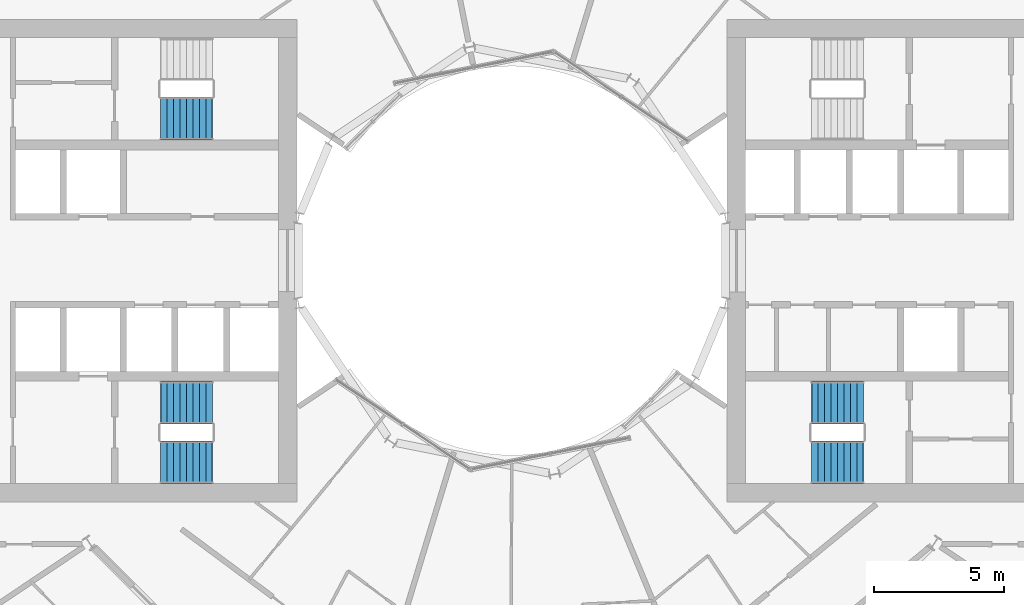
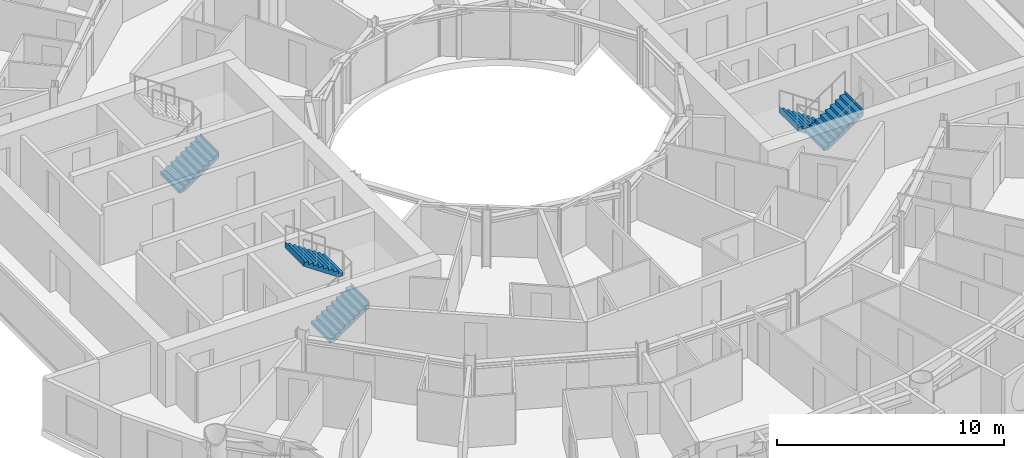
# One storey, part 23 of 26: 5 stair flights, 3 elements without a shape of their own.
"""IFC4 building model written with IfcOpenShell, lengths in metres."""

from ifc_helpers import new_model, si_unit, direction, frame, origin, place, context, subcontext, project, spatial, triangles, material, type_object, element, aggregate, save


model = new_model("IFC4")

# Units and contexts
model_context = context("Model", 3, precision=1e-05, world=origin(), true_north=direction((0.0, 1.0)))
body_context = subcontext(model_context, "Body", "Model", "MODEL_VIEW")
ifc_project = project(units=[si_unit("LENGTHUNIT", "METRE"), si_unit("AREAUNIT", "SQUARE_METRE"), si_unit("VOLUMEUNIT", "CUBIC_METRE"), si_unit("PLANEANGLEUNIT", "RADIAN"), si_unit("MASSUNIT", "GRAM", prefix="KILO")], contexts=[model_context])

# Site, building, storey
site_placement = place(None, origin())
site = spatial("IfcSite", under=ifc_project, at=site_placement, CompositionType="ELEMENT")
building_placement = place(site_placement, origin())
building = spatial("IfcBuilding", under=site, at=building_placement, Name="Maasbend Ring Residences", CompositionType="ELEMENT")
storey_placement = place(building_placement, frame((0.0, 0.0, 66.64990234375)))
storey = spatial("IfcBuildingStorey", under=building, at=storey_placement, Name="L18", CompositionType="ELEMENT", Elevation=66.64990234375)

# Stair, stair flights
ifc_material_1 = material(Name="Concrete C40/50", Category="concrete")
stair_type = type_object("IfcStairType", Name="CORE STAIR 18 RISERS", PredefinedType="HALF_TURN_STAIR", material=ifc_material_1)
stair_1_placement = place(storey_placement, origin())
stair_1 = element("IfcStair", 1, at=stair_1_placement, inside=storey, type_object=stair_type, Name="L18 Exit stair ST-E2", PredefinedType="HALF_TURN_STAIR")
ifc_material_2 = material(Name="Concrete C40/50", Category="concrete")
stair_flight_type = type_object("IfcStairFlightType", Name="CORE STAIR FLIGHT 1650", PredefinedType="STRAIGHT", material=ifc_material_2)
stair_flight_1_placement = place(storey_placement, frame((13.550048828125, -5.47509765625, 0.0), z_axis=(0.0, 0.0, 1.0), x_axis=(-1.0, 0.0, 0.0)))
stair_flight_1 = element("IfcStairFlight", 2, at=stair_flight_1_placement, type_object=stair_flight_type, Name="ST-E2 flight 1", NumberOfRisers=9, NumberOfTreads=8, PredefinedType="STRAIGHT", RiserHeight=0.169444444, TreadLength=0.25, context=body_context, shape_type="Tessellation", body=[
    triangles([(0.24072265625, 0.824951171875, -0.02001953125), (2.0029296875, 0.824951171875, 1.174560546875), (2.0029296875, 0.824951171875, 1.52490234375), (1.989990234375, 0.824951171875, 1.35546875), (1.75, 0.824951171875, 1.35546875), (1.75, 0.824951171875, 1.18603515625), (1.5, 0.824951171875, 1.18603515625), (1.5, 0.824951171875, 1.0166015625), (1.25, 0.824951171875, 1.0166015625), (1.25, 0.824951171875, 0.84716796875), (1.0, 0.824951171875, 0.84716796875), (1.0, 0.824951171875, 0.677734375), (0.75, 0.824951171875, 0.677734375), (0.75, 0.824951171875, 0.50830078125), (0.5, 0.824951171875, 0.50830078125), (0.5, 0.824951171875, 0.3388671875), (0.25, 0.824951171875, 0.3388671875), (0.25, 0.824951171875, 0.16943359375), (0.0, 0.824951171875, 0.16943359375), (0.0, 0.824951171875, 0.0), (-0.0029296875, 0.824951171875, 0.0), (-0.0029296875, 0.824951171875, -0.02001953125), (0.24072265625, 0.27490234375, -0.02001953125), (2.0029296875, 0.27490234375, 1.174560546875), (2.0029296875, 0.27490234375, 1.52490234375), (1.989990234375, 0.27490234375, 1.35546875), (1.75, 0.27490234375, 1.35546875), (1.75, 0.27490234375, 1.18603515625), (1.5, 0.27490234375, 1.18603515625), (1.5, 0.27490234375, 1.0166015625), (1.25, 0.27490234375, 1.0166015625), (1.25, 0.27490234375, 0.84716796875), (1.0, 0.27490234375, 0.84716796875), (1.0, 0.27490234375, 0.677734375), (0.75, 0.27490234375, 0.677734375), (0.75, 0.27490234375, 0.50830078125), (0.5, 0.27490234375, 0.50830078125), (0.5, 0.27490234375, 0.3388671875), (0.25, 0.27490234375, 0.3388671875), (0.25, 0.27490234375, 0.16943359375), (0.0, 0.27490234375, 0.16943359375), (0.0, 0.27490234375, 0.0), (-0.0029296875, 0.27490234375, 0.0), (-0.0029296875, 0.27490234375, -0.02001953125), (0.24072265625, -0.27490234375, -0.02001953125), (2.0029296875, -0.27490234375, 1.174560546875), (2.0029296875, -0.27490234375, 1.52490234375), (1.989990234375, -0.27490234375, 1.35546875), (1.75, -0.27490234375, 1.35546875), (1.75, -0.27490234375, 1.18603515625), (1.5, -0.27490234375, 1.18603515625), (1.5, -0.27490234375, 1.0166015625), (1.25, -0.27490234375, 1.0166015625), (1.25, -0.27490234375, 0.84716796875), (1.0, -0.27490234375, 0.84716796875), (1.0, -0.27490234375, 0.677734375), (0.75, -0.27490234375, 0.677734375), (0.75, -0.27490234375, 0.50830078125), (0.5, -0.27490234375, 0.50830078125), (0.5, -0.27490234375, 0.3388671875), (0.25, -0.27490234375, 0.3388671875), (0.25, -0.27490234375, 0.16943359375), (0.0, -0.27490234375, 0.16943359375), (0.0, -0.27490234375, 0.0), (-0.0029296875, -0.27490234375, 0.0), (-0.0029296875, -0.27490234375, -0.02001953125), (0.24072265625, -0.824951171875, -0.02001953125), (2.0029296875, -0.824951171875, 1.174560546875), (2.0029296875, -0.824951171875, 1.52490234375), (1.989990234375, -0.824951171875, 1.35546875), (1.75, -0.824951171875, 1.35546875), (1.75, -0.824951171875, 1.18603515625), (1.5, -0.824951171875, 1.18603515625), (1.5, -0.824951171875, 1.0166015625), (1.25, -0.824951171875, 1.0166015625), (1.25, -0.824951171875, 0.84716796875), (1.0, -0.824951171875, 0.84716796875), (1.0, -0.824951171875, 0.677734375), (0.75, -0.824951171875, 0.677734375), (0.75, -0.824951171875, 0.50830078125), (0.5, -0.824951171875, 0.50830078125), (0.5, -0.824951171875, 0.3388671875), (0.25, -0.824951171875, 0.3388671875), (0.25, -0.824951171875, 0.16943359375), (0.0, -0.824951171875, 0.16943359375), (0.0, -0.824951171875, 0.0), (-0.0029296875, -0.824951171875, 0.0), (-0.0029296875, -0.824951171875, -0.02001953125)], [[1, 2, 24], [1, 24, 23], [23, 24, 46], [23, 46, 45], [45, 46, 68], [45, 68, 67], [2, 3, 25], [2, 25, 24], [24, 25, 47], [24, 47, 46], [46, 47, 69], [46, 69, 68], [3, 4, 26], [3, 26, 25], [25, 26, 48], [25, 48, 47], [47, 48, 70], [47, 70, 69], [4, 5, 27], [4, 27, 26], [26, 27, 49], [26, 49, 48], [48, 49, 71], [48, 71, 70], [5, 6, 28], [5, 28, 27], [27, 28, 50], [27, 50, 49], [49, 50, 72], [49, 72, 71], [6, 7, 29], [6, 29, 28], [28, 29, 51], [28, 51, 50], [50, 51, 73], [50, 73, 72], [7, 8, 30], [7, 30, 29], [29, 30, 52], [29, 52, 51], [51, 52, 74], [51, 74, 73], [8, 9, 31], [8, 31, 30], [30, 31, 53], [30, 53, 52], [52, 53, 75], [52, 75, 74], [9, 10, 32], [9, 32, 31], [31, 32, 54], [31, 54, 53], [53, 54, 76], [53, 76, 75], [10, 11, 33], [10, 33, 32], [32, 33, 55], [32, 55, 54], [54, 55, 77], [54, 77, 76], [11, 12, 34], [11, 34, 33], [33, 34, 56], [33, 56, 55], [55, 56, 78], [55, 78, 77], [12, 13, 35], [12, 35, 34], [34, 35, 57], [34, 57, 56], [56, 57, 79], [56, 79, 78], [13, 14, 36], [13, 36, 35], [35, 36, 58], [35, 58, 57], [57, 58, 80], [57, 80, 79], [14, 15, 37], [14, 37, 36], [36, 37, 59], [36, 59, 58], [58, 59, 81], [58, 81, 80], [15, 16, 38], [15, 38, 37], [37, 38, 60], [37, 60, 59], [59, 60, 82], [59, 82, 81], [16, 17, 39], [16, 39, 38], [38, 39, 61], [38, 61, 60], [60, 61, 83], [60, 83, 82], [17, 18, 40], [17, 40, 39], [39, 40, 62], [39, 62, 61], [61, 62, 84], [61, 84, 83], [18, 19, 41], [18, 41, 40], [40, 41, 63], [40, 63, 62], [62, 63, 85], [62, 85, 84], [19, 20, 42], [19, 42, 41], [41, 42, 64], [41, 64, 63], [63, 64, 86], [63, 86, 85], [20, 21, 43], [20, 43, 42], [42, 43, 65], [42, 65, 64], [64, 65, 87], [64, 87, 86], [21, 22, 44], [21, 44, 43], [43, 44, 66], [43, 66, 65], [65, 66, 88], [65, 88, 87], [22, 1, 23], [22, 23, 44], [44, 23, 45], [44, 45, 66], [66, 45, 67], [66, 67, 88], [22, 2, 1], [2, 4, 3], [2, 5, 4], [2, 6, 5], [22, 6, 2], [6, 8, 7], [22, 8, 6], [8, 10, 9], [22, 10, 8], [10, 12, 11], [22, 12, 10], [12, 14, 13], [22, 14, 12], [14, 16, 15], [22, 16, 14], [16, 18, 17], [22, 18, 16], [18, 20, 19], [22, 20, 18], [20, 22, 21], [88, 67, 68], [68, 69, 70], [68, 70, 71], [68, 71, 72], [88, 68, 72], [72, 73, 74], [88, 72, 74], [74, 75, 76], [88, 74, 76], [76, 77, 78], [88, 76, 78], [78, 79, 80], [88, 78, 80], [80, 81, 82], [88, 80, 82], [82, 83, 84], [88, 82, 84], [84, 85, 86], [88, 84, 86], [86, 87, 88]], closed=True),
])
stair_flight_2_placement = place(storey_placement, frame((11.550048828125, -7.77490234375, 1.525146484375), z_axis=(0.0, 0.0, 1.0), x_axis=(1.0, 0.0, 0.0)))
stair_flight_2 = element("IfcStairFlight", 3, at=stair_flight_2_placement, type_object=stair_flight_type, Name="ST-E2 flight 2", NumberOfRisers=9, NumberOfTreads=8, PredefinedType="STRAIGHT", RiserHeight=0.169444444, TreadLength=0.25, context=body_context, shape_type="Tessellation", body=[
    triangles([(0.24072265625, 0.824951171875, -0.02001953125), (2.0029296875, 0.824951171875, 1.174560546875), (2.0029296875, 0.824951171875, 1.52490234375), (1.989990234375, 0.824951171875, 1.35546875), (1.75, 0.824951171875, 1.35546875), (1.75, 0.824951171875, 1.18603515625), (1.5, 0.824951171875, 1.18603515625), (1.5, 0.824951171875, 1.0166015625), (1.25, 0.824951171875, 1.0166015625), (1.25, 0.824951171875, 0.84716796875), (1.0, 0.824951171875, 0.84716796875), (1.0, 0.824951171875, 0.677734375), (0.75, 0.824951171875, 0.677734375), (0.75, 0.824951171875, 0.50830078125), (0.5, 0.824951171875, 0.50830078125), (0.5, 0.824951171875, 0.3388671875), (0.25, 0.824951171875, 0.3388671875), (0.25, 0.824951171875, 0.16943359375), (0.0, 0.824951171875, 0.16943359375), (0.0, 0.824951171875, 0.0), (-0.0029296875, 0.824951171875, 0.0), (-0.0029296875, 0.824951171875, -0.02001953125), (0.24072265625, 0.27490234375, -0.02001953125), (2.0029296875, 0.27490234375, 1.174560546875), (2.0029296875, 0.27490234375, 1.52490234375), (1.989990234375, 0.27490234375, 1.35546875), (1.75, 0.27490234375, 1.35546875), (1.75, 0.27490234375, 1.18603515625), (1.5, 0.27490234375, 1.18603515625), (1.5, 0.27490234375, 1.0166015625), (1.25, 0.27490234375, 1.0166015625), (1.25, 0.27490234375, 0.84716796875), (1.0, 0.27490234375, 0.84716796875), (1.0, 0.27490234375, 0.677734375), (0.75, 0.27490234375, 0.677734375), (0.75, 0.27490234375, 0.50830078125), (0.5, 0.27490234375, 0.50830078125), (0.5, 0.27490234375, 0.3388671875), (0.25, 0.27490234375, 0.3388671875), (0.25, 0.27490234375, 0.16943359375), (0.0, 0.27490234375, 0.16943359375), (0.0, 0.27490234375, 0.0), (-0.0029296875, 0.27490234375, 0.0), (-0.0029296875, 0.27490234375, -0.02001953125), (0.24072265625, -0.27490234375, -0.02001953125), (2.0029296875, -0.27490234375, 1.174560546875), (2.0029296875, -0.27490234375, 1.52490234375), (1.989990234375, -0.27490234375, 1.35546875), (1.75, -0.27490234375, 1.35546875), (1.75, -0.27490234375, 1.18603515625), (1.5, -0.27490234375, 1.18603515625), (1.5, -0.27490234375, 1.0166015625), (1.25, -0.27490234375, 1.0166015625), (1.25, -0.27490234375, 0.84716796875), (1.0, -0.27490234375, 0.84716796875), (1.0, -0.27490234375, 0.677734375), (0.75, -0.27490234375, 0.677734375), (0.75, -0.27490234375, 0.50830078125), (0.5, -0.27490234375, 0.50830078125), (0.5, -0.27490234375, 0.3388671875), (0.25, -0.27490234375, 0.3388671875), (0.25, -0.27490234375, 0.16943359375), (0.0, -0.27490234375, 0.16943359375), (0.0, -0.27490234375, 0.0), (-0.0029296875, -0.27490234375, 0.0), (-0.0029296875, -0.27490234375, -0.02001953125), (0.24072265625, -0.824951171875, -0.02001953125), (2.0029296875, -0.824951171875, 1.174560546875), (2.0029296875, -0.824951171875, 1.52490234375), (1.989990234375, -0.824951171875, 1.35546875), (1.75, -0.824951171875, 1.35546875), (1.75, -0.824951171875, 1.18603515625), (1.5, -0.824951171875, 1.18603515625), (1.5, -0.824951171875, 1.0166015625), (1.25, -0.824951171875, 1.0166015625), (1.25, -0.824951171875, 0.84716796875), (1.0, -0.824951171875, 0.84716796875), (1.0, -0.824951171875, 0.677734375), (0.75, -0.824951171875, 0.677734375), (0.75, -0.824951171875, 0.50830078125), (0.5, -0.824951171875, 0.50830078125), (0.5, -0.824951171875, 0.3388671875), (0.25, -0.824951171875, 0.3388671875), (0.25, -0.824951171875, 0.16943359375), (0.0, -0.824951171875, 0.16943359375), (0.0, -0.824951171875, 0.0), (-0.0029296875, -0.824951171875, 0.0), (-0.0029296875, -0.824951171875, -0.02001953125)], [[1, 2, 24], [1, 24, 23], [23, 24, 46], [23, 46, 45], [45, 46, 68], [45, 68, 67], [2, 3, 25], [2, 25, 24], [24, 25, 47], [24, 47, 46], [46, 47, 69], [46, 69, 68], [3, 4, 26], [3, 26, 25], [25, 26, 48], [25, 48, 47], [47, 48, 70], [47, 70, 69], [4, 5, 27], [4, 27, 26], [26, 27, 49], [26, 49, 48], [48, 49, 71], [48, 71, 70], [5, 6, 28], [5, 28, 27], [27, 28, 50], [27, 50, 49], [49, 50, 72], [49, 72, 71], [6, 7, 29], [6, 29, 28], [28, 29, 51], [28, 51, 50], [50, 51, 73], [50, 73, 72], [7, 8, 30], [7, 30, 29], [29, 30, 52], [29, 52, 51], [51, 52, 74], [51, 74, 73], [8, 9, 31], [8, 31, 30], [30, 31, 53], [30, 53, 52], [52, 53, 75], [52, 75, 74], [9, 10, 32], [9, 32, 31], [31, 32, 54], [31, 54, 53], [53, 54, 76], [53, 76, 75], [10, 11, 33], [10, 33, 32], [32, 33, 55], [32, 55, 54], [54, 55, 77], [54, 77, 76], [11, 12, 34], [11, 34, 33], [33, 34, 56], [33, 56, 55], [55, 56, 78], [55, 78, 77], [12, 13, 35], [12, 35, 34], [34, 35, 57], [34, 57, 56], [56, 57, 79], [56, 79, 78], [13, 14, 36], [13, 36, 35], [35, 36, 58], [35, 58, 57], [57, 58, 80], [57, 80, 79], [14, 15, 37], [14, 37, 36], [36, 37, 59], [36, 59, 58], [58, 59, 81], [58, 81, 80], [15, 16, 38], [15, 38, 37], [37, 38, 60], [37, 60, 59], [59, 60, 82], [59, 82, 81], [16, 17, 39], [16, 39, 38], [38, 39, 61], [38, 61, 60], [60, 61, 83], [60, 83, 82], [17, 18, 40], [17, 40, 39], [39, 40, 62], [39, 62, 61], [61, 62, 84], [61, 84, 83], [18, 19, 41], [18, 41, 40], [40, 41, 63], [40, 63, 62], [62, 63, 85], [62, 85, 84], [19, 20, 42], [19, 42, 41], [41, 42, 64], [41, 64, 63], [63, 64, 86], [63, 86, 85], [20, 21, 43], [20, 43, 42], [42, 43, 65], [42, 65, 64], [64, 65, 87], [64, 87, 86], [21, 22, 44], [21, 44, 43], [43, 44, 66], [43, 66, 65], [65, 66, 88], [65, 88, 87], [22, 1, 23], [22, 23, 44], [44, 23, 45], [44, 45, 66], [66, 45, 67], [66, 67, 88], [22, 2, 1], [2, 4, 3], [2, 5, 4], [2, 6, 5], [22, 6, 2], [6, 8, 7], [22, 8, 6], [8, 10, 9], [22, 10, 8], [10, 12, 11], [22, 12, 10], [12, 14, 13], [22, 14, 12], [14, 16, 15], [22, 16, 14], [16, 18, 17], [22, 18, 16], [18, 20, 19], [22, 20, 18], [20, 22, 21], [88, 67, 68], [68, 69, 70], [68, 70, 71], [68, 71, 72], [88, 68, 72], [72, 73, 74], [88, 72, 74], [74, 75, 76], [88, 74, 76], [76, 77, 78], [88, 76, 78], [78, 79, 80], [88, 78, 80], [80, 81, 82], [88, 80, 82], [82, 83, 84], [88, 82, 84], [84, 85, 86], [88, 84, 86], [86, 87, 88]], closed=True),
])
aggregate(stair_1, [stair_flight_1, stair_flight_2])

stair_2_placement = place(storey_placement, origin())
stair_2 = element("IfcStair", 4, at=stair_2_placement, inside=storey, type_object=stair_type, Name="L18 Exit stair ST-W1", PredefinedType="HALF_TURN_STAIR")
stair_flight_3_placement = place(storey_placement, frame((-13.550048828125, -7.77490234375, 0.0), z_axis=(0.0, 0.0, 1.0), x_axis=(1.0, 0.0, 0.0)))
stair_flight_3 = element("IfcStairFlight", 5, at=stair_flight_3_placement, type_object=stair_flight_type, Name="ST-W1 flight 1", NumberOfRisers=9, NumberOfTreads=8, PredefinedType="STRAIGHT", RiserHeight=0.169444444, TreadLength=0.25, context=body_context, shape_type="Tessellation", body=[
    triangles([(0.24072265625, 0.824951171875, -0.02001953125), (2.0029296875, 0.824951171875, 1.174560546875), (2.0029296875, 0.824951171875, 1.52490234375), (1.989990234375, 0.824951171875, 1.35546875), (1.75, 0.824951171875, 1.35546875), (1.75, 0.824951171875, 1.18603515625), (1.5, 0.824951171875, 1.18603515625), (1.5, 0.824951171875, 1.0166015625), (1.25, 0.824951171875, 1.0166015625), (1.25, 0.824951171875, 0.84716796875), (1.0, 0.824951171875, 0.84716796875), (1.0, 0.824951171875, 0.677734375), (0.75, 0.824951171875, 0.677734375), (0.75, 0.824951171875, 0.50830078125), (0.5, 0.824951171875, 0.50830078125), (0.5, 0.824951171875, 0.3388671875), (0.25, 0.824951171875, 0.3388671875), (0.25, 0.824951171875, 0.16943359375), (0.0, 0.824951171875, 0.16943359375), (0.0, 0.824951171875, 0.0), (-0.0029296875, 0.824951171875, 0.0), (-0.0029296875, 0.824951171875, -0.02001953125), (0.24072265625, 0.27490234375, -0.02001953125), (2.0029296875, 0.27490234375, 1.174560546875), (2.0029296875, 0.27490234375, 1.52490234375), (1.989990234375, 0.27490234375, 1.35546875), (1.75, 0.27490234375, 1.35546875), (1.75, 0.27490234375, 1.18603515625), (1.5, 0.27490234375, 1.18603515625), (1.5, 0.27490234375, 1.0166015625), (1.25, 0.27490234375, 1.0166015625), (1.25, 0.27490234375, 0.84716796875), (1.0, 0.27490234375, 0.84716796875), (1.0, 0.27490234375, 0.677734375), (0.75, 0.27490234375, 0.677734375), (0.75, 0.27490234375, 0.50830078125), (0.5, 0.27490234375, 0.50830078125), (0.5, 0.27490234375, 0.3388671875), (0.25, 0.27490234375, 0.3388671875), (0.25, 0.27490234375, 0.16943359375), (0.0, 0.27490234375, 0.16943359375), (0.0, 0.27490234375, 0.0), (-0.0029296875, 0.27490234375, 0.0), (-0.0029296875, 0.27490234375, -0.02001953125), (0.24072265625, -0.27490234375, -0.02001953125), (2.0029296875, -0.27490234375, 1.174560546875), (2.0029296875, -0.27490234375, 1.52490234375), (1.989990234375, -0.27490234375, 1.35546875), (1.75, -0.27490234375, 1.35546875), (1.75, -0.27490234375, 1.18603515625), (1.5, -0.27490234375, 1.18603515625), (1.5, -0.27490234375, 1.0166015625), (1.25, -0.27490234375, 1.0166015625), (1.25, -0.27490234375, 0.84716796875), (1.0, -0.27490234375, 0.84716796875), (1.0, -0.27490234375, 0.677734375), (0.75, -0.27490234375, 0.677734375), (0.75, -0.27490234375, 0.50830078125), (0.5, -0.27490234375, 0.50830078125), (0.5, -0.27490234375, 0.3388671875), (0.25, -0.27490234375, 0.3388671875), (0.25, -0.27490234375, 0.16943359375), (0.0, -0.27490234375, 0.16943359375), (0.0, -0.27490234375, 0.0), (-0.0029296875, -0.27490234375, 0.0), (-0.0029296875, -0.27490234375, -0.02001953125), (0.24072265625, -0.824951171875, -0.02001953125), (2.0029296875, -0.824951171875, 1.174560546875), (2.0029296875, -0.824951171875, 1.52490234375), (1.989990234375, -0.824951171875, 1.35546875), (1.75, -0.824951171875, 1.35546875), (1.75, -0.824951171875, 1.18603515625), (1.5, -0.824951171875, 1.18603515625), (1.5, -0.824951171875, 1.0166015625), (1.25, -0.824951171875, 1.0166015625), (1.25, -0.824951171875, 0.84716796875), (1.0, -0.824951171875, 0.84716796875), (1.0, -0.824951171875, 0.677734375), (0.75, -0.824951171875, 0.677734375), (0.75, -0.824951171875, 0.50830078125), (0.5, -0.824951171875, 0.50830078125), (0.5, -0.824951171875, 0.3388671875), (0.25, -0.824951171875, 0.3388671875), (0.25, -0.824951171875, 0.16943359375), (0.0, -0.824951171875, 0.16943359375), (0.0, -0.824951171875, 0.0), (-0.0029296875, -0.824951171875, 0.0), (-0.0029296875, -0.824951171875, -0.02001953125)], [[1, 2, 24], [1, 24, 23], [23, 24, 46], [23, 46, 45], [45, 46, 68], [45, 68, 67], [2, 3, 25], [2, 25, 24], [24, 25, 47], [24, 47, 46], [46, 47, 69], [46, 69, 68], [3, 4, 26], [3, 26, 25], [25, 26, 48], [25, 48, 47], [47, 48, 70], [47, 70, 69], [4, 5, 27], [4, 27, 26], [26, 27, 49], [26, 49, 48], [48, 49, 71], [48, 71, 70], [5, 6, 28], [5, 28, 27], [27, 28, 50], [27, 50, 49], [49, 50, 72], [49, 72, 71], [6, 7, 29], [6, 29, 28], [28, 29, 51], [28, 51, 50], [50, 51, 73], [50, 73, 72], [7, 8, 30], [7, 30, 29], [29, 30, 52], [29, 52, 51], [51, 52, 74], [51, 74, 73], [8, 9, 31], [8, 31, 30], [30, 31, 53], [30, 53, 52], [52, 53, 75], [52, 75, 74], [9, 10, 32], [9, 32, 31], [31, 32, 54], [31, 54, 53], [53, 54, 76], [53, 76, 75], [10, 11, 33], [10, 33, 32], [32, 33, 55], [32, 55, 54], [54, 55, 77], [54, 77, 76], [11, 12, 34], [11, 34, 33], [33, 34, 56], [33, 56, 55], [55, 56, 78], [55, 78, 77], [12, 13, 35], [12, 35, 34], [34, 35, 57], [34, 57, 56], [56, 57, 79], [56, 79, 78], [13, 14, 36], [13, 36, 35], [35, 36, 58], [35, 58, 57], [57, 58, 80], [57, 80, 79], [14, 15, 37], [14, 37, 36], [36, 37, 59], [36, 59, 58], [58, 59, 81], [58, 81, 80], [15, 16, 38], [15, 38, 37], [37, 38, 60], [37, 60, 59], [59, 60, 82], [59, 82, 81], [16, 17, 39], [16, 39, 38], [38, 39, 61], [38, 61, 60], [60, 61, 83], [60, 83, 82], [17, 18, 40], [17, 40, 39], [39, 40, 62], [39, 62, 61], [61, 62, 84], [61, 84, 83], [18, 19, 41], [18, 41, 40], [40, 41, 63], [40, 63, 62], [62, 63, 85], [62, 85, 84], [19, 20, 42], [19, 42, 41], [41, 42, 64], [41, 64, 63], [63, 64, 86], [63, 86, 85], [20, 21, 43], [20, 43, 42], [42, 43, 65], [42, 65, 64], [64, 65, 87], [64, 87, 86], [21, 22, 44], [21, 44, 43], [43, 44, 66], [43, 66, 65], [65, 66, 88], [65, 88, 87], [22, 1, 23], [22, 23, 44], [44, 23, 45], [44, 45, 66], [66, 45, 67], [66, 67, 88], [22, 2, 1], [2, 4, 3], [2, 5, 4], [2, 6, 5], [22, 6, 2], [6, 8, 7], [22, 8, 6], [8, 10, 9], [22, 10, 8], [10, 12, 11], [22, 12, 10], [12, 14, 13], [22, 14, 12], [14, 16, 15], [22, 16, 14], [16, 18, 17], [22, 18, 16], [18, 20, 19], [22, 20, 18], [20, 22, 21], [88, 67, 68], [68, 69, 70], [68, 70, 71], [68, 71, 72], [88, 68, 72], [72, 73, 74], [88, 72, 74], [74, 75, 76], [88, 74, 76], [76, 77, 78], [88, 76, 78], [78, 79, 80], [88, 78, 80], [80, 81, 82], [88, 80, 82], [82, 83, 84], [88, 82, 84], [84, 85, 86], [88, 84, 86], [86, 87, 88]], closed=True),
])
stair_flight_4_placement = place(storey_placement, frame((-11.550048828125, -5.47509765625, 1.525146484375), z_axis=(0.0, 0.0, 1.0), x_axis=(-1.0, 0.0, 0.0)))
stair_flight_4 = element("IfcStairFlight", 6, at=stair_flight_4_placement, type_object=stair_flight_type, Name="ST-W1 flight 2", NumberOfRisers=9, NumberOfTreads=8, PredefinedType="STRAIGHT", RiserHeight=0.169444444, TreadLength=0.25, context=body_context, shape_type="Tessellation", body=[
    triangles([(0.24072265625, 0.824951171875, -0.02001953125), (2.0029296875, 0.824951171875, 1.174560546875), (2.0029296875, 0.824951171875, 1.52490234375), (1.989990234375, 0.824951171875, 1.35546875), (1.75, 0.824951171875, 1.35546875), (1.75, 0.824951171875, 1.18603515625), (1.5, 0.824951171875, 1.18603515625), (1.5, 0.824951171875, 1.0166015625), (1.25, 0.824951171875, 1.0166015625), (1.25, 0.824951171875, 0.84716796875), (1.0, 0.824951171875, 0.84716796875), (1.0, 0.824951171875, 0.677734375), (0.75, 0.824951171875, 0.677734375), (0.75, 0.824951171875, 0.50830078125), (0.5, 0.824951171875, 0.50830078125), (0.5, 0.824951171875, 0.3388671875), (0.25, 0.824951171875, 0.3388671875), (0.25, 0.824951171875, 0.16943359375), (0.0, 0.824951171875, 0.16943359375), (0.0, 0.824951171875, 0.0), (-0.0029296875, 0.824951171875, 0.0), (-0.0029296875, 0.824951171875, -0.02001953125), (0.24072265625, 0.27490234375, -0.02001953125), (2.0029296875, 0.27490234375, 1.174560546875), (2.0029296875, 0.27490234375, 1.52490234375), (1.989990234375, 0.27490234375, 1.35546875), (1.75, 0.27490234375, 1.35546875), (1.75, 0.27490234375, 1.18603515625), (1.5, 0.27490234375, 1.18603515625), (1.5, 0.27490234375, 1.0166015625), (1.25, 0.27490234375, 1.0166015625), (1.25, 0.27490234375, 0.84716796875), (1.0, 0.27490234375, 0.84716796875), (1.0, 0.27490234375, 0.677734375), (0.75, 0.27490234375, 0.677734375), (0.75, 0.27490234375, 0.50830078125), (0.5, 0.27490234375, 0.50830078125), (0.5, 0.27490234375, 0.3388671875), (0.25, 0.27490234375, 0.3388671875), (0.25, 0.27490234375, 0.16943359375), (0.0, 0.27490234375, 0.16943359375), (0.0, 0.27490234375, 0.0), (-0.0029296875, 0.27490234375, 0.0), (-0.0029296875, 0.27490234375, -0.02001953125), (0.24072265625, -0.27490234375, -0.02001953125), (2.0029296875, -0.27490234375, 1.174560546875), (2.0029296875, -0.27490234375, 1.52490234375), (1.989990234375, -0.27490234375, 1.35546875), (1.75, -0.27490234375, 1.35546875), (1.75, -0.27490234375, 1.18603515625), (1.5, -0.27490234375, 1.18603515625), (1.5, -0.27490234375, 1.0166015625), (1.25, -0.27490234375, 1.0166015625), (1.25, -0.27490234375, 0.84716796875), (1.0, -0.27490234375, 0.84716796875), (1.0, -0.27490234375, 0.677734375), (0.75, -0.27490234375, 0.677734375), (0.75, -0.27490234375, 0.50830078125), (0.5, -0.27490234375, 0.50830078125), (0.5, -0.27490234375, 0.3388671875), (0.25, -0.27490234375, 0.3388671875), (0.25, -0.27490234375, 0.16943359375), (0.0, -0.27490234375, 0.16943359375), (0.0, -0.27490234375, 0.0), (-0.0029296875, -0.27490234375, 0.0), (-0.0029296875, -0.27490234375, -0.02001953125), (0.24072265625, -0.824951171875, -0.02001953125), (2.0029296875, -0.824951171875, 1.174560546875), (2.0029296875, -0.824951171875, 1.52490234375), (1.989990234375, -0.824951171875, 1.35546875), (1.75, -0.824951171875, 1.35546875), (1.75, -0.824951171875, 1.18603515625), (1.5, -0.824951171875, 1.18603515625), (1.5, -0.824951171875, 1.0166015625), (1.25, -0.824951171875, 1.0166015625), (1.25, -0.824951171875, 0.84716796875), (1.0, -0.824951171875, 0.84716796875), (1.0, -0.824951171875, 0.677734375), (0.75, -0.824951171875, 0.677734375), (0.75, -0.824951171875, 0.50830078125), (0.5, -0.824951171875, 0.50830078125), (0.5, -0.824951171875, 0.3388671875), (0.25, -0.824951171875, 0.3388671875), (0.25, -0.824951171875, 0.16943359375), (0.0, -0.824951171875, 0.16943359375), (0.0, -0.824951171875, 0.0), (-0.0029296875, -0.824951171875, 0.0), (-0.0029296875, -0.824951171875, -0.02001953125)], [[1, 2, 24], [1, 24, 23], [23, 24, 46], [23, 46, 45], [45, 46, 68], [45, 68, 67], [2, 3, 25], [2, 25, 24], [24, 25, 47], [24, 47, 46], [46, 47, 69], [46, 69, 68], [3, 4, 26], [3, 26, 25], [25, 26, 48], [25, 48, 47], [47, 48, 70], [47, 70, 69], [4, 5, 27], [4, 27, 26], [26, 27, 49], [26, 49, 48], [48, 49, 71], [48, 71, 70], [5, 6, 28], [5, 28, 27], [27, 28, 50], [27, 50, 49], [49, 50, 72], [49, 72, 71], [6, 7, 29], [6, 29, 28], [28, 29, 51], [28, 51, 50], [50, 51, 73], [50, 73, 72], [7, 8, 30], [7, 30, 29], [29, 30, 52], [29, 52, 51], [51, 52, 74], [51, 74, 73], [8, 9, 31], [8, 31, 30], [30, 31, 53], [30, 53, 52], [52, 53, 75], [52, 75, 74], [9, 10, 32], [9, 32, 31], [31, 32, 54], [31, 54, 53], [53, 54, 76], [53, 76, 75], [10, 11, 33], [10, 33, 32], [32, 33, 55], [32, 55, 54], [54, 55, 77], [54, 77, 76], [11, 12, 34], [11, 34, 33], [33, 34, 56], [33, 56, 55], [55, 56, 78], [55, 78, 77], [12, 13, 35], [12, 35, 34], [34, 35, 57], [34, 57, 56], [56, 57, 79], [56, 79, 78], [13, 14, 36], [13, 36, 35], [35, 36, 58], [35, 58, 57], [57, 58, 80], [57, 80, 79], [14, 15, 37], [14, 37, 36], [36, 37, 59], [36, 59, 58], [58, 59, 81], [58, 81, 80], [15, 16, 38], [15, 38, 37], [37, 38, 60], [37, 60, 59], [59, 60, 82], [59, 82, 81], [16, 17, 39], [16, 39, 38], [38, 39, 61], [38, 61, 60], [60, 61, 83], [60, 83, 82], [17, 18, 40], [17, 40, 39], [39, 40, 62], [39, 62, 61], [61, 62, 84], [61, 84, 83], [18, 19, 41], [18, 41, 40], [40, 41, 63], [40, 63, 62], [62, 63, 85], [62, 85, 84], [19, 20, 42], [19, 42, 41], [41, 42, 64], [41, 64, 63], [63, 64, 86], [63, 86, 85], [20, 21, 43], [20, 43, 42], [42, 43, 65], [42, 65, 64], [64, 65, 87], [64, 87, 86], [21, 22, 44], [21, 44, 43], [43, 44, 66], [43, 66, 65], [65, 66, 88], [65, 88, 87], [22, 1, 23], [22, 23, 44], [44, 23, 45], [44, 45, 66], [66, 45, 67], [66, 67, 88], [22, 2, 1], [2, 4, 3], [2, 5, 4], [2, 6, 5], [22, 6, 2], [6, 8, 7], [22, 8, 6], [8, 10, 9], [22, 10, 8], [10, 12, 11], [22, 12, 10], [12, 14, 13], [22, 14, 12], [14, 16, 15], [22, 16, 14], [16, 18, 17], [22, 18, 16], [18, 20, 19], [22, 20, 18], [20, 22, 21], [88, 67, 68], [68, 69, 70], [68, 70, 71], [68, 71, 72], [88, 68, 72], [72, 73, 74], [88, 72, 74], [74, 75, 76], [88, 74, 76], [76, 77, 78], [88, 76, 78], [78, 79, 80], [88, 78, 80], [80, 81, 82], [88, 80, 82], [82, 83, 84], [88, 82, 84], [84, 85, 86], [88, 84, 86], [86, 87, 88]], closed=True),
])
aggregate(stair_2, [stair_flight_3, stair_flight_4])

# Stair, stair flight
stair_3_placement = place(storey_placement, origin())
stair_3 = element("IfcStair", 7, at=stair_3_placement, inside=storey, type_object=stair_type, Name="L18 Exit stair ST-W2", PredefinedType="HALF_TURN_STAIR")
stair_flight_5_placement = place(storey_placement, frame((-13.550048828125, 5.47509765625, 0.0), z_axis=(0.0, 0.0, 1.0), x_axis=(1.0, 0.0, 0.0)))
stair_flight_5 = element("IfcStairFlight", 8, at=stair_flight_5_placement, type_object=stair_flight_type, Name="ST-W2 flight 1", NumberOfRisers=9, NumberOfTreads=8, PredefinedType="STRAIGHT", RiserHeight=0.169444444, TreadLength=0.25, context=body_context, shape_type="Tessellation", body=[
    triangles([(0.24072265625, 0.824951171875, -0.02001953125), (2.0029296875, 0.824951171875, 1.174560546875), (2.0029296875, 0.824951171875, 1.52490234375), (1.989990234375, 0.824951171875, 1.35546875), (1.75, 0.824951171875, 1.35546875), (1.75, 0.824951171875, 1.18603515625), (1.5, 0.824951171875, 1.18603515625), (1.5, 0.824951171875, 1.0166015625), (1.25, 0.824951171875, 1.0166015625), (1.25, 0.824951171875, 0.84716796875), (1.0, 0.824951171875, 0.84716796875), (1.0, 0.824951171875, 0.677734375), (0.75, 0.824951171875, 0.677734375), (0.75, 0.824951171875, 0.50830078125), (0.5, 0.824951171875, 0.50830078125), (0.5, 0.824951171875, 0.3388671875), (0.25, 0.824951171875, 0.3388671875), (0.25, 0.824951171875, 0.16943359375), (0.0, 0.824951171875, 0.16943359375), (0.0, 0.824951171875, 0.0), (-0.0029296875, 0.824951171875, 0.0), (-0.0029296875, 0.824951171875, -0.02001953125), (0.24072265625, 0.27490234375, -0.02001953125), (2.0029296875, 0.27490234375, 1.174560546875), (2.0029296875, 0.27490234375, 1.52490234375), (1.989990234375, 0.27490234375, 1.35546875), (1.75, 0.27490234375, 1.35546875), (1.75, 0.27490234375, 1.18603515625), (1.5, 0.27490234375, 1.18603515625), (1.5, 0.27490234375, 1.0166015625), (1.25, 0.27490234375, 1.0166015625), (1.25, 0.27490234375, 0.84716796875), (1.0, 0.27490234375, 0.84716796875), (1.0, 0.27490234375, 0.677734375), (0.75, 0.27490234375, 0.677734375), (0.75, 0.27490234375, 0.50830078125), (0.5, 0.27490234375, 0.50830078125), (0.5, 0.27490234375, 0.3388671875), (0.25, 0.27490234375, 0.3388671875), (0.25, 0.27490234375, 0.16943359375), (0.0, 0.27490234375, 0.16943359375), (0.0, 0.27490234375, 0.0), (-0.0029296875, 0.27490234375, 0.0), (-0.0029296875, 0.27490234375, -0.02001953125), (0.24072265625, -0.27490234375, -0.02001953125), (2.0029296875, -0.27490234375, 1.174560546875), (2.0029296875, -0.27490234375, 1.52490234375), (1.989990234375, -0.27490234375, 1.35546875), (1.75, -0.27490234375, 1.35546875), (1.75, -0.27490234375, 1.18603515625), (1.5, -0.27490234375, 1.18603515625), (1.5, -0.27490234375, 1.0166015625), (1.25, -0.27490234375, 1.0166015625), (1.25, -0.27490234375, 0.84716796875), (1.0, -0.27490234375, 0.84716796875), (1.0, -0.27490234375, 0.677734375), (0.75, -0.27490234375, 0.677734375), (0.75, -0.27490234375, 0.50830078125), (0.5, -0.27490234375, 0.50830078125), (0.5, -0.27490234375, 0.3388671875), (0.25, -0.27490234375, 0.3388671875), (0.25, -0.27490234375, 0.16943359375), (0.0, -0.27490234375, 0.16943359375), (0.0, -0.27490234375, 0.0), (-0.0029296875, -0.27490234375, 0.0), (-0.0029296875, -0.27490234375, -0.02001953125), (0.24072265625, -0.824951171875, -0.02001953125), (2.0029296875, -0.824951171875, 1.174560546875), (2.0029296875, -0.824951171875, 1.52490234375), (1.989990234375, -0.824951171875, 1.35546875), (1.75, -0.824951171875, 1.35546875), (1.75, -0.824951171875, 1.18603515625), (1.5, -0.824951171875, 1.18603515625), (1.5, -0.824951171875, 1.0166015625), (1.25, -0.824951171875, 1.0166015625), (1.25, -0.824951171875, 0.84716796875), (1.0, -0.824951171875, 0.84716796875), (1.0, -0.824951171875, 0.677734375), (0.75, -0.824951171875, 0.677734375), (0.75, -0.824951171875, 0.50830078125), (0.5, -0.824951171875, 0.50830078125), (0.5, -0.824951171875, 0.3388671875), (0.25, -0.824951171875, 0.3388671875), (0.25, -0.824951171875, 0.16943359375), (0.0, -0.824951171875, 0.16943359375), (0.0, -0.824951171875, 0.0), (-0.0029296875, -0.824951171875, 0.0), (-0.0029296875, -0.824951171875, -0.02001953125)], [[1, 2, 24], [1, 24, 23], [23, 24, 46], [23, 46, 45], [45, 46, 68], [45, 68, 67], [2, 3, 25], [2, 25, 24], [24, 25, 47], [24, 47, 46], [46, 47, 69], [46, 69, 68], [3, 4, 26], [3, 26, 25], [25, 26, 48], [25, 48, 47], [47, 48, 70], [47, 70, 69], [4, 5, 27], [4, 27, 26], [26, 27, 49], [26, 49, 48], [48, 49, 71], [48, 71, 70], [5, 6, 28], [5, 28, 27], [27, 28, 50], [27, 50, 49], [49, 50, 72], [49, 72, 71], [6, 7, 29], [6, 29, 28], [28, 29, 51], [28, 51, 50], [50, 51, 73], [50, 73, 72], [7, 8, 30], [7, 30, 29], [29, 30, 52], [29, 52, 51], [51, 52, 74], [51, 74, 73], [8, 9, 31], [8, 31, 30], [30, 31, 53], [30, 53, 52], [52, 53, 75], [52, 75, 74], [9, 10, 32], [9, 32, 31], [31, 32, 54], [31, 54, 53], [53, 54, 76], [53, 76, 75], [10, 11, 33], [10, 33, 32], [32, 33, 55], [32, 55, 54], [54, 55, 77], [54, 77, 76], [11, 12, 34], [11, 34, 33], [33, 34, 56], [33, 56, 55], [55, 56, 78], [55, 78, 77], [12, 13, 35], [12, 35, 34], [34, 35, 57], [34, 57, 56], [56, 57, 79], [56, 79, 78], [13, 14, 36], [13, 36, 35], [35, 36, 58], [35, 58, 57], [57, 58, 80], [57, 80, 79], [14, 15, 37], [14, 37, 36], [36, 37, 59], [36, 59, 58], [58, 59, 81], [58, 81, 80], [15, 16, 38], [15, 38, 37], [37, 38, 60], [37, 60, 59], [59, 60, 82], [59, 82, 81], [16, 17, 39], [16, 39, 38], [38, 39, 61], [38, 61, 60], [60, 61, 83], [60, 83, 82], [17, 18, 40], [17, 40, 39], [39, 40, 62], [39, 62, 61], [61, 62, 84], [61, 84, 83], [18, 19, 41], [18, 41, 40], [40, 41, 63], [40, 63, 62], [62, 63, 85], [62, 85, 84], [19, 20, 42], [19, 42, 41], [41, 42, 64], [41, 64, 63], [63, 64, 86], [63, 86, 85], [20, 21, 43], [20, 43, 42], [42, 43, 65], [42, 65, 64], [64, 65, 87], [64, 87, 86], [21, 22, 44], [21, 44, 43], [43, 44, 66], [43, 66, 65], [65, 66, 88], [65, 88, 87], [22, 1, 23], [22, 23, 44], [44, 23, 45], [44, 45, 66], [66, 45, 67], [66, 67, 88], [22, 2, 1], [2, 4, 3], [2, 5, 4], [2, 6, 5], [22, 6, 2], [6, 8, 7], [22, 8, 6], [8, 10, 9], [22, 10, 8], [10, 12, 11], [22, 12, 10], [12, 14, 13], [22, 14, 12], [14, 16, 15], [22, 16, 14], [16, 18, 17], [22, 18, 16], [18, 20, 19], [22, 20, 18], [20, 22, 21], [88, 67, 68], [68, 69, 70], [68, 70, 71], [68, 71, 72], [88, 68, 72], [72, 73, 74], [88, 72, 74], [74, 75, 76], [88, 74, 76], [76, 77, 78], [88, 76, 78], [78, 79, 80], [88, 78, 80], [80, 81, 82], [88, 80, 82], [82, 83, 84], [88, 82, 84], [84, 85, 86], [88, 84, 86], [86, 87, 88]], closed=True),
])
aggregate(stair_3, [stair_flight_5])

save(model, "model.ifc")
